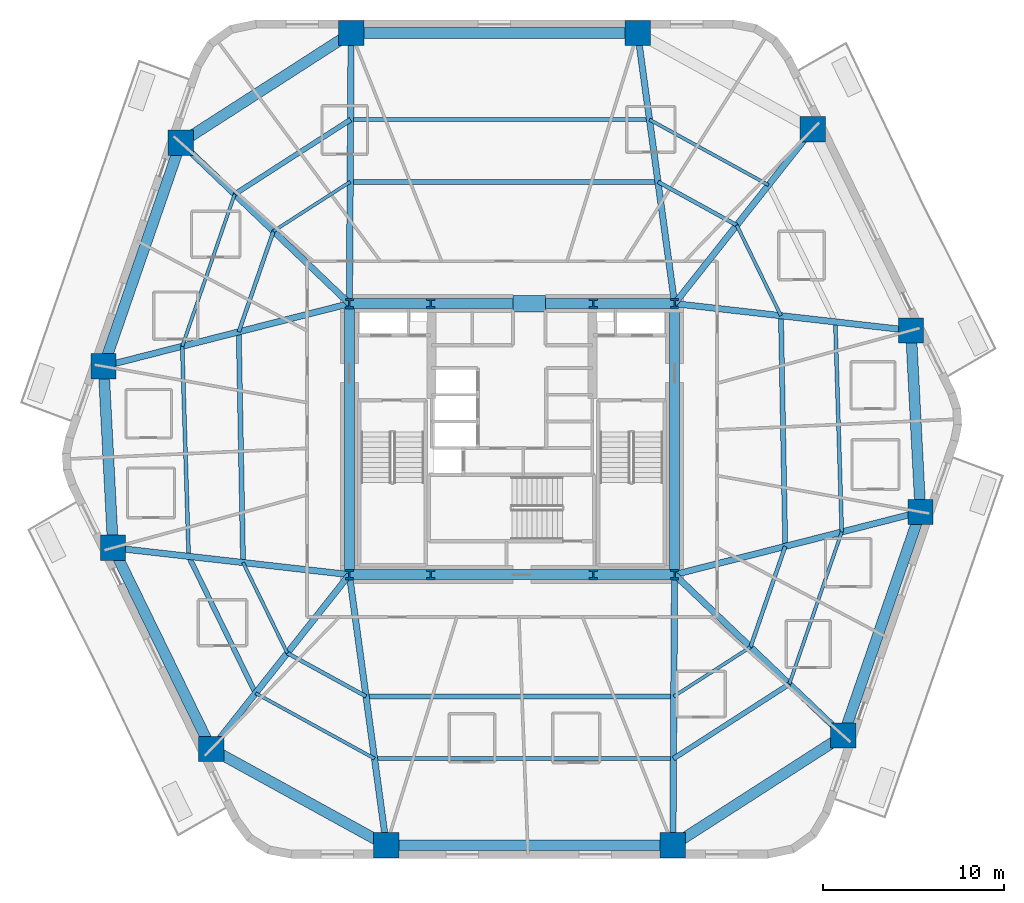
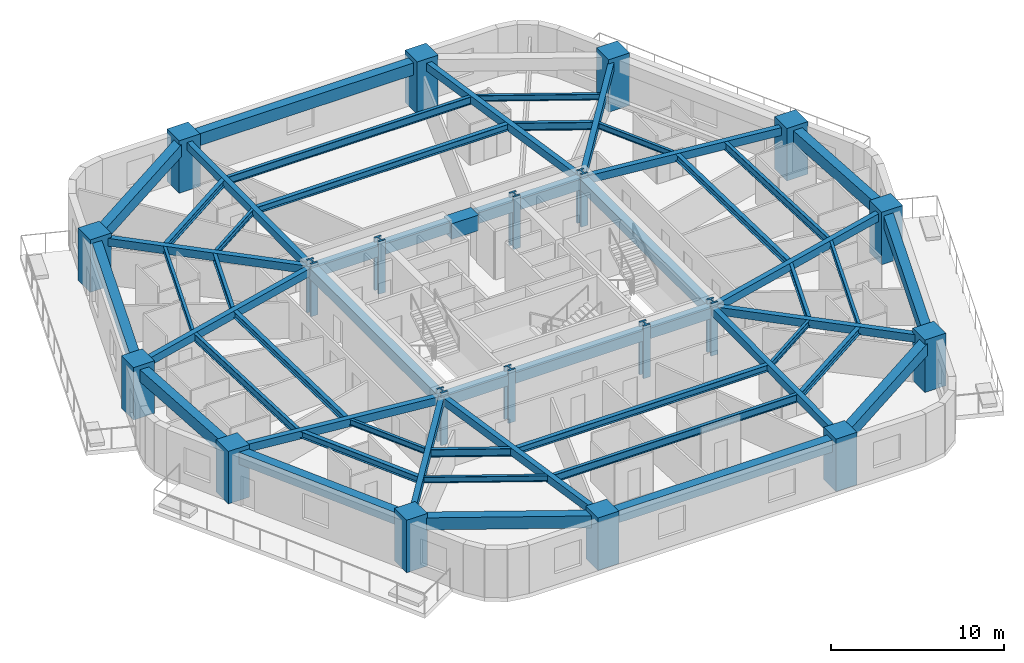
# One storey, part 1 of 10: 54 beams, 20 columns.
"""IFC4 building model written with IfcOpenShell, lengths in metres."""

from ifc_helpers import new_model, si_unit, direction, frame, origin, origin_2d, place, context, subcontext, project, spatial, rectangle, i_section, extrude, material, material_profile, profile_set, type_object, element, save


model = new_model("IFC4")

# Units and contexts
model_context = context("Model", 3, precision=1e-05, world=origin(), true_north=direction((0.0, 1.0)))
body_context = subcontext(model_context, "Body", "Model", "MODEL_VIEW")
ifc_project = project(units=[si_unit("LENGTHUNIT", "METRE"), si_unit("AREAUNIT", "SQUARE_METRE"), si_unit("VOLUMEUNIT", "CUBIC_METRE"), si_unit("PLANEANGLEUNIT", "RADIAN"), si_unit("MASSUNIT", "GRAM", prefix="KILO")], contexts=[model_context])

# Site, building, storey
site_placement = place(None, origin())
site = spatial("IfcSite", under=ifc_project, at=site_placement, CompositionType="ELEMENT")
building_placement = place(site_placement, origin())
building = spatial("IfcBuilding", under=site, at=building_placement, Name="Kilnhurst Terrace Hotel", CompositionType="ELEMENT")
storey_placement = place(building_placement, frame((0.0, 0.0, 45.300048828125)))
storey = spatial("IfcBuildingStorey", under=building, at=storey_placement, Name="L09", CompositionType="ELEMENT", Elevation=45.300048828125)

# Columns
ifc_material_1 = material(Name="Concrete C80/95", Category="concrete")
ifc_material_profile_1 = material_profile(ifc_material_1, rectangle(XDim=1.39990234375, YDim=1.39990234375, at=origin_2d()), Name="RC1400X1400")
ifc_profile_set_1 = profile_set([ifc_material_profile_1], Name="Concrete C80/95")
column_type_1 = type_object("IfcColumnType", Name="COL-RC-1400", PredefinedType="COLUMN", material=ifc_profile_set_1)
for number, where, z_axis, x_axis, name in (
    (1, (-6.955078125, -22.47998046875, 0.0), (0.0, 0.0, 1.0), (1.0, 0.0, 0.0), "L09 Structural Column PC-F11"),
    (2, (8.905029296875, -22.47998046875, 0.0), (0.0, 0.0, 1.0), (1.0, 0.0, 0.0), "L09 Structural Column PC-F12"),
    (3, (18.337890625, -16.410888671875, 0.0), (0.0, 0.0, 1.0), (1.0, 0.0, 0.0), "L09 Structural Column PC-F21"),
    (4, (22.60888671875, -4.029052734375, 0.0), (0.0, 0.0, 1.0), (1.0, 0.0, 0.0), "L09 Structural Column PC-F22"),
    (5, (22.083984375, 6.013916015625, 0.0), (0.0, 0.0, 1.0), (1.0, 0.0, 0.0), "L09 Structural Column PC-F31"),
    (6, (16.64306640625, 17.152099609375, 0.0), (0.0, 0.0, 1.0), (1.0, 0.0, 0.0), "L09 Structural Column PC-F32"),
    (7, (6.955078125, 22.47998046875, 0.0), (0.0, 0.0, 1.0), (1.0, 0.0, 0.0), "L09 Structural Column PC-F41"),
    (8, (-8.905029296875, 22.47998046875, 0.0), (0.0, 0.0, 1.0), (1.0, 0.0, 0.0), "L09 Structural Column PC-F42"),
    (9, (-18.337890625, 16.410888671875, 0.0), (0.0, 0.0, 1.0), (1.0, 0.0, 0.0), "L09 Structural Column PC-F51"),
    (10, (-22.60888671875, 4.029052734375, 0.0), (0.0, 0.0, 1.0), (1.0, 0.0, 0.0), "L09 Structural Column PC-F52"),
    (11, (-22.083984375, -6.013916015625, 0.0), (0.0, 0.0, 1.0), (1.0, 0.0, 0.0), "L09 Structural Column PC-F61"),
    (12, (-16.64306640625, -17.152099609375, 0.0), (0.0, 0.0, 1.0), (1.0, 0.0, 0.0), "L09 Structural Column PC-F62"),
):
    element("IfcColumn", number, at=place(storey_placement, frame(where, z_axis=z_axis, x_axis=x_axis)), inside=storey, type_object=column_type_1, Name=name, PredefinedType="COLUMN", context=body_context, shape_type="SweptSolid", body=[
        extrude(rectangle(XDim=1.39990234375, YDim=1.39990234375, at=origin_2d()), origin(), (0.0, 0.0, 1.0), 3.699951171875),
    ])
ifc_material_2 = material(Name="Steel ASTM A992 Grade 50", Category="steel")
ifc_material_profile_2 = material_profile(ifc_material_2, i_section(OverallWidth=0.454345703125, OverallDepth=0.569091796875, WebThickness=0.077880859375, FlangeThickness=0.124755859375, at=origin_2d()), Name="W14X730")
ifc_profile_set_2 = profile_set([ifc_material_profile_2], Name="Steel ASTM A992 Grade 50")
column_type_2 = type_object("IfcColumnType", Name="COL-STL-W14X730", PredefinedType="COLUMN", material=ifc_profile_set_2)
for number, where, z_axis, x_axis, name in (
    (13, (-9.0, -7.5, 0.0), (0.0, 0.0, 1.0), (1.0, 0.0, 0.0), "L09 Structural Column CC-SW"),
    (14, (-4.5, -7.5, 0.0), (0.0, 0.0, 1.0), (1.0, 0.0, 0.0), "L09 Structural Column CC-SC1"),
    (15, (4.5, -7.5, 0.0), (0.0, 0.0, 1.0), (1.0, 0.0, 0.0), "L09 Structural Column CC-SC2"),
    (16, (9.0, -7.5, 0.0), (0.0, 0.0, 1.0), (1.0, 0.0, 0.0), "L09 Structural Column CC-SE"),
    (17, (9.0, 7.5, 0.0), (0.0, 0.0, 1.0), (1.0, 0.0, 0.0), "L09 Structural Column CC-NE"),
    (18, (4.5, 7.5, 0.0), (0.0, 0.0, 1.0), (1.0, 0.0, 0.0), "L09 Structural Column CC-NC2"),
    (19, (-4.5, 7.5, 0.0), (0.0, 0.0, 1.0), (1.0, 0.0, 0.0), "L09 Structural Column CC-NC1"),
    (20, (-9.0, 7.5, 0.0), (0.0, 0.0, 1.0), (1.0, 0.0, 0.0), "L09 Structural Column CC-NW"),
):
    element("IfcColumn", number, at=place(storey_placement, frame(where, z_axis=z_axis, x_axis=x_axis)), inside=storey, type_object=column_type_2, Name=name, PredefinedType="COLUMN", context=body_context, shape_type="SweptSolid", body=[
        extrude(i_section(OverallWidth=0.454345703125, OverallDepth=0.569091796875, WebThickness=0.077880859375, FlangeThickness=0.124755859375, at=origin_2d()), origin(), (0.0, 0.0, 1.0), 3.699951171875),
    ])

# Beams
ifc_material_3 = material(Name="Concrete C50/60", Category="concrete")
ifc_material_profile_3 = material_profile(ifc_material_3, rectangle(XDim=0.35009765625, YDim=0.550048828125, at=origin_2d()), Name="RC350X550")
ifc_profile_set_3 = profile_set([ifc_material_profile_3], Name="Concrete C50/60")
beam_type_1 = type_object("IfcBeamType", Name="BM-RAD-350X550", PredefinedType="BEAM", material=ifc_profile_set_3)
beam_1_placement = place(storey_placement, frame((-9.0, -7.5, 3.125), z_axis=(0.13525588246, -0.990810701527, 0.0), x_axis=(0.990810701527, 0.13525588246, 0.0)))
element("IfcBeam", 21, at=beam_1_placement, inside=storey, type_object=beam_type_1, Name="L09 Radial Floor Beam 1", PredefinedType="BEAM", context=body_context, shape_type="SweptSolid", body=[
    extrude(rectangle(XDim=0.35009765625, YDim=0.550048828125, at=origin_2d()), origin(), (0.0, 0.0, 1.0), 15.118896484375),
])
beam_2_placement = place(storey_placement, frame((9.0, -7.5, 3.125), z_axis=(-0.006339714179, -0.99997990381, 0.0), x_axis=(0.99997990381, -0.006339714179, 0.0)))
element("IfcBeam", 22, at=beam_2_placement, inside=storey, type_object=beam_type_1, Name="L09 Radial Floor Beam 2", PredefinedType="BEAM", context=body_context, shape_type="SweptSolid", body=[
    extrude(rectangle(XDim=0.35009765625, YDim=0.550048828125, at=origin_2d()), origin(), (0.0, 0.0, 1.0), 14.980224609375),
])
beam_3_placement = place(storey_placement, frame((9.0, -7.5, 3.125), z_axis=(0.723454302813, -0.690372270403, 0.0), x_axis=(0.690372270403, 0.723454302813, 0.0)))
element("IfcBeam", 23, at=beam_3_placement, inside=storey, type_object=beam_type_1, Name="L09 Radial Floor Beam 3", PredefinedType="BEAM", context=body_context, shape_type="SweptSolid", body=[
    extrude(rectangle(XDim=0.35009765625, YDim=0.550048828125, at=origin_2d()), origin(), (0.0, 0.0, 1.0), 12.907470703125),
])
beam_4_placement = place(storey_placement, frame((9.0, -7.5, 3.125), z_axis=(0.968980179812, 0.247138445273, 0.0), x_axis=(-0.247138445273, 0.968980179812, 0.0)))
element("IfcBeam", 24, at=beam_4_placement, inside=storey, type_object=beam_type_1, Name="L09 Radial Floor Beam 4", PredefinedType="BEAM", context=body_context, shape_type="SweptSolid", body=[
    extrude(rectangle(XDim=0.35009765625, YDim=0.550048828125, at=origin_2d()), origin(), (0.0, 0.0, 1.0), 14.04443359375),
])
beam_5_placement = place(storey_placement, frame((9.0, 7.5, 3.125), z_axis=(0.993611493249, -0.112854776075, 0.0), x_axis=(0.112854776075, 0.993611493249, 0.0)))
element("IfcBeam", 25, at=beam_5_placement, inside=storey, type_object=beam_type_1, Name="L09 Radial Floor Beam 5", PredefinedType="BEAM", context=body_context, shape_type="SweptSolid", body=[
    extrude(rectangle(XDim=0.35009765625, YDim=0.550048828125, at=origin_2d()), origin(), (0.0, 0.0, 1.0), 13.168212890625),
])
beam_6_placement = place(storey_placement, frame((9.0, 7.5, 3.125), z_axis=(0.62079385707, 0.783973843329, 0.0), x_axis=(-0.783973843329, 0.62079385707, 0.0)))
element("IfcBeam", 26, at=beam_6_placement, inside=storey, type_object=beam_type_1, Name="L09 Radial Floor Beam 6", PredefinedType="BEAM", context=body_context, shape_type="SweptSolid", body=[
    extrude(rectangle(XDim=0.35009765625, YDim=0.550048828125, at=origin_2d()), origin(), (0.0, 0.0, 1.0), 12.311767578125),
])
beam_7_placement = place(storey_placement, frame((9.0, 7.5, 3.125), z_axis=(-0.13525588246, 0.990810701527, 0.0), x_axis=(-0.990810701527, -0.13525588246, 0.0)))
element("IfcBeam", 27, at=beam_7_placement, inside=storey, type_object=beam_type_1, Name="L09 Radial Floor Beam 7", PredefinedType="BEAM", context=body_context, shape_type="SweptSolid", body=[
    extrude(rectangle(XDim=0.35009765625, YDim=0.550048828125, at=origin_2d()), origin(), (0.0, 0.0, 1.0), 15.118896484375),
])
beam_8_placement = place(storey_placement, frame((-9.0, 7.5, 3.125), z_axis=(0.006339714179, 0.99997990381, 0.0), x_axis=(-0.99997990381, 0.006339714179, 0.0)))
element("IfcBeam", 28, at=beam_8_placement, inside=storey, type_object=beam_type_1, Name="L09 Radial Floor Beam 8", PredefinedType="BEAM", context=body_context, shape_type="SweptSolid", body=[
    extrude(rectangle(XDim=0.35009765625, YDim=0.550048828125, at=origin_2d()), origin(), (0.0, 0.0, 1.0), 14.980224609375),
])
beam_9_placement = place(storey_placement, frame((-9.0, 7.5, 3.125), z_axis=(-0.723454302813, 0.690372270403, 0.0), x_axis=(-0.690372270403, -0.723454302813, 0.0)))
element("IfcBeam", 29, at=beam_9_placement, inside=storey, type_object=beam_type_1, Name="L09 Radial Floor Beam 9", PredefinedType="BEAM", context=body_context, shape_type="SweptSolid", body=[
    extrude(rectangle(XDim=0.35009765625, YDim=0.550048828125, at=origin_2d()), origin(), (0.0, 0.0, 1.0), 12.907470703125),
])
beam_10_placement = place(storey_placement, frame((-9.0, 7.5, 3.125), z_axis=(-0.968980179812, -0.247138445273, 0.0), x_axis=(0.247138445273, -0.968980179812, 0.0)))
element("IfcBeam", 30, at=beam_10_placement, inside=storey, type_object=beam_type_1, Name="L09 Radial Floor Beam 10", PredefinedType="BEAM", context=body_context, shape_type="SweptSolid", body=[
    extrude(rectangle(XDim=0.35009765625, YDim=0.550048828125, at=origin_2d()), origin(), (0.0, 0.0, 1.0), 14.04443359375),
])
beam_11_placement = place(storey_placement, frame((-9.0, -7.5, 3.125), z_axis=(-0.993611493249, 0.112854776075, 0.0), x_axis=(-0.112854776075, -0.993611493249, 0.0)))
element("IfcBeam", 31, at=beam_11_placement, inside=storey, type_object=beam_type_1, Name="L09 Radial Floor Beam 11", PredefinedType="BEAM", context=body_context, shape_type="SweptSolid", body=[
    extrude(rectangle(XDim=0.35009765625, YDim=0.550048828125, at=origin_2d()), origin(), (0.0, 0.0, 1.0), 13.168212890625),
])
beam_12_placement = place(storey_placement, frame((-9.0, -7.5, 3.125), z_axis=(-0.62079385707, -0.783973843329, 0.0), x_axis=(0.783973843329, -0.62079385707, 0.0)))
element("IfcBeam", 32, at=beam_12_placement, inside=storey, type_object=beam_type_1, Name="L09 Radial Floor Beam 12", PredefinedType="BEAM", context=body_context, shape_type="SweptSolid", body=[
    extrude(rectangle(XDim=0.35009765625, YDim=0.550048828125, at=origin_2d()), origin(), (0.0, 0.0, 1.0), 12.311767578125),
])
ifc_material_profile_4 = material_profile(ifc_material_3, rectangle(XDim=0.550048828125, YDim=0.75, at=origin_2d()), Name="RC550X750")
ifc_profile_set_4 = profile_set([ifc_material_profile_4], Name="Concrete C50/60")
beam_type_2 = type_object("IfcBeamType", Name="BM-SPN-550X750", PredefinedType="SPANDREL", material=ifc_profile_set_4)
beam_13_placement = place(storey_placement, frame((-9.0, 7.5, 3.02490234375), z_axis=(1.0, 0.0, 0.0), x_axis=(0.0, 1.0, 0.0)))
element("IfcBeam", 33, at=beam_13_placement, inside=storey, type_object=beam_type_2, Name="L09 Core Tie Beam CC-NW to CC-NC1", PredefinedType="SPANDREL", context=body_context, shape_type="SweptSolid", body=[
    extrude(rectangle(XDim=0.550048828125, YDim=0.75, at=origin_2d()), origin(), (0.0, 0.0, 1.0), 4.5),
])
beam_14_placement = place(storey_placement, frame((-4.5, 7.5, 3.02490234375), z_axis=(1.0, 0.0, 0.0), x_axis=(0.0, 1.0, 0.0)))
element("IfcBeam", 34, at=beam_14_placement, inside=storey, type_object=beam_type_2, Name="L09 Core Tie Beam CC-NC1 to CC-NC2", PredefinedType="SPANDREL", context=body_context, shape_type="SweptSolid", body=[
    extrude(rectangle(XDim=0.550048828125, YDim=0.75, at=origin_2d()), origin(), (0.0, 0.0, 1.0), 9.0),
])
for number, where, z_axis, x_axis, name in (
    (35, (4.5, 7.5, 3.02490234375), (1.0, 0.0, 0.0), (0.0, 1.0, 0.0), "L09 Core Tie Beam CC-NC2 to CC-NE"),
    (36, (-9.0, -7.5, 3.02490234375), (1.0, 0.0, 0.0), (0.0, 1.0, 0.0), "L09 Core Tie Beam CC-SW to CC-SC1"),
):
    element("IfcBeam", number, at=place(storey_placement, frame(where, z_axis=z_axis, x_axis=x_axis)), inside=storey, type_object=beam_type_2, Name=name, PredefinedType="SPANDREL", context=body_context, shape_type="SweptSolid", body=[
        extrude(rectangle(XDim=0.550048828125, YDim=0.75, at=origin_2d()), origin(), (0.0, 0.0, 1.0), 4.5),
    ])
beam_15_placement = place(storey_placement, frame((-4.5, -7.5, 3.02490234375), z_axis=(1.0, 0.0, 0.0), x_axis=(0.0, 1.0, 0.0)))
element("IfcBeam", 37, at=beam_15_placement, inside=storey, type_object=beam_type_2, Name="L09 Core Tie Beam CC-SC1 to CC-SC2", PredefinedType="SPANDREL", context=body_context, shape_type="SweptSolid", body=[
    extrude(rectangle(XDim=0.550048828125, YDim=0.75, at=origin_2d()), origin(), (0.0, 0.0, 1.0), 9.0),
])
beam_16_placement = place(storey_placement, frame((4.5, -7.5, 3.02490234375), z_axis=(1.0, 0.0, 0.0), x_axis=(0.0, 1.0, 0.0)))
element("IfcBeam", 38, at=beam_16_placement, inside=storey, type_object=beam_type_2, Name="L09 Core Tie Beam CC-SC2 to CC-SE", PredefinedType="SPANDREL", context=body_context, shape_type="SweptSolid", body=[
    extrude(rectangle(XDim=0.550048828125, YDim=0.75, at=origin_2d()), origin(), (0.0, 0.0, 1.0), 4.5),
])
for number, where, z_axis, x_axis, name in (
    (39, (-9.0, -7.5, 3.02490234375), (0.0, 1.0, 0.0), (-1.0, 0.0, 0.0), "L09 Core Tie Beam CC-SW to CC-NW"),
    (40, (9.0, -7.5, 3.02490234375), (0.0, 1.0, 0.0), (-1.0, 0.0, 0.0), "L09 Core Tie Beam CC-SE to CC-NE"),
):
    element("IfcBeam", number, at=place(storey_placement, frame(where, z_axis=z_axis, x_axis=x_axis)), inside=storey, type_object=beam_type_2, Name=name, PredefinedType="SPANDREL", context=body_context, shape_type="SweptSolid", body=[
        extrude(rectangle(XDim=0.550048828125, YDim=0.75, at=origin_2d()), origin(), (0.0, 0.0, 1.0), 15.0),
    ])
ifc_material_profile_5 = material_profile(ifc_material_3, rectangle(XDim=0.60009765625, YDim=0.85009765625, at=origin_2d()), Name="RC600X850")
ifc_profile_set_5 = profile_set([ifc_material_profile_5], Name="Concrete C50/60")
beam_type_3 = type_object("IfcBeamType", Name="BM-SPN-600X850", PredefinedType="SPANDREL", material=ifc_profile_set_5)
beam_17_placement = place(storey_placement, frame((-6.955078125, -22.47998046875, 2.974853515625), z_axis=(1.0, 0.0, 0.0), x_axis=(0.0, 1.0, 0.0)))
element("IfcBeam", 41, at=beam_17_placement, inside=storey, type_object=beam_type_3, Name="L09 Perimeter Spandrel Beam 1", PredefinedType="SPANDREL", context=body_context, shape_type="SweptSolid", body=[
    extrude(rectangle(XDim=0.60009765625, YDim=0.85009765625, at=origin_2d()), origin(), (0.0, 0.0, 1.0), 15.860107421875),
])
beam_18_placement = place(storey_placement, frame((8.905029296875, -22.47998046875, 2.974853515625), z_axis=(0.840971204873, 0.541079876335, 0.0), x_axis=(-0.541079876335, 0.840971204873, 0.0)))
element("IfcBeam", 42, at=beam_18_placement, inside=storey, type_object=beam_type_3, Name="L09 Perimeter Spandrel Beam 2", PredefinedType="SPANDREL", context=body_context, shape_type="SweptSolid", body=[
    extrude(rectangle(XDim=0.60009765625, YDim=0.85009765625, at=origin_2d()), origin(), (0.0, 0.0, 1.0), 11.216552734375),
])
beam_19_placement = place(storey_placement, frame((18.337890625, -16.410888671875, 2.974853515625), z_axis=(0.326086040191, 0.945340094565, 0.0), x_axis=(-0.945340094565, 0.326086040191, 0.0)))
element("IfcBeam", 43, at=beam_19_placement, inside=storey, type_object=beam_type_3, Name="L09 Perimeter Spandrel Beam 3", PredefinedType="SPANDREL", context=body_context, shape_type="SweptSolid", body=[
    extrude(rectangle(XDim=0.60009765625, YDim=0.85009765625, at=origin_2d()), origin(), (0.0, 0.0, 1.0), 13.09765625),
])
beam_20_placement = place(storey_placement, frame((22.60888671875, -4.029052734375, 2.974853515625), z_axis=(-0.052194414298, 0.998636942595, 0.0), x_axis=(-0.998636942595, -0.052194414298, 0.0)))
element("IfcBeam", 44, at=beam_20_placement, inside=storey, type_object=beam_type_3, Name="L09 Perimeter Spandrel Beam 4", PredefinedType="SPANDREL", context=body_context, shape_type="SweptSolid", body=[
    extrude(rectangle(XDim=0.60009765625, YDim=0.85009765625, at=origin_2d()), origin(), (0.0, 0.0, 1.0), 10.056640625),
])
beam_21_placement = place(storey_placement, frame((6.955078125, 22.47998046875, 2.974853515625), z_axis=(-1.0, 0.0, 0.0), x_axis=(0.0, -1.0, 0.0)))
element("IfcBeam", 45, at=beam_21_placement, inside=storey, type_object=beam_type_3, Name="L09 Perimeter Spandrel Beam 7", PredefinedType="SPANDREL", context=body_context, shape_type="SweptSolid", body=[
    extrude(rectangle(XDim=0.60009765625, YDim=0.85009765625, at=origin_2d()), origin(), (0.0, 0.0, 1.0), 15.860107421875),
])
beam_22_placement = place(storey_placement, frame((-8.905029296875, 22.47998046875, 2.974853515625), z_axis=(-0.840971204873, -0.541079876335, 0.0), x_axis=(0.541079876335, -0.840971204873, 0.0)))
element("IfcBeam", 46, at=beam_22_placement, inside=storey, type_object=beam_type_3, Name="L09 Perimeter Spandrel Beam 8", PredefinedType="SPANDREL", context=body_context, shape_type="SweptSolid", body=[
    extrude(rectangle(XDim=0.60009765625, YDim=0.85009765625, at=origin_2d()), origin(), (0.0, 0.0, 1.0), 11.216552734375),
])
beam_23_placement = place(storey_placement, frame((-18.337890625, 16.410888671875, 2.974853515625), z_axis=(-0.326086040191, -0.945340094565, 0.0), x_axis=(0.945340094565, -0.326086040191, 0.0)))
element("IfcBeam", 47, at=beam_23_placement, inside=storey, type_object=beam_type_3, Name="L09 Perimeter Spandrel Beam 9", PredefinedType="SPANDREL", context=body_context, shape_type="SweptSolid", body=[
    extrude(rectangle(XDim=0.60009765625, YDim=0.85009765625, at=origin_2d()), origin(), (0.0, 0.0, 1.0), 13.09765625),
])
beam_24_placement = place(storey_placement, frame((-22.60888671875, 4.029052734375, 2.974853515625), z_axis=(0.052194414298, -0.998636942595, 0.0), x_axis=(0.998636942595, 0.052194414298, 0.0)))
element("IfcBeam", 48, at=beam_24_placement, inside=storey, type_object=beam_type_3, Name="L09 Perimeter Spandrel Beam 10", PredefinedType="SPANDREL", context=body_context, shape_type="SweptSolid", body=[
    extrude(rectangle(XDim=0.60009765625, YDim=0.85009765625, at=origin_2d()), origin(), (0.0, 0.0, 1.0), 10.056640625),
])
beam_25_placement = place(storey_placement, frame((-22.083984375, -6.013916015625, 2.974853515625), z_axis=(0.438922573627, -0.898524888003, 0.0), x_axis=(0.898524888003, 0.438922573627, 0.0)))
element("IfcBeam", 49, at=beam_25_placement, inside=storey, type_object=beam_type_3, Name="L09 Perimeter Spandrel Beam 11", PredefinedType="SPANDREL", context=body_context, shape_type="SweptSolid", body=[
    extrude(rectangle(XDim=0.60009765625, YDim=0.85009765625, at=origin_2d()), origin(), (0.0, 0.0, 1.0), 12.39599609375),
])
beam_26_placement = place(storey_placement, frame((-16.64306640625, -17.152099609375, 2.974853515625), z_axis=(0.876235488803, -0.481883147829, 0.0), x_axis=(0.481883147829, 0.876235488803, 0.0)))
element("IfcBeam", 50, at=beam_26_placement, inside=storey, type_object=beam_type_3, Name="L09 Perimeter Spandrel Beam 12", PredefinedType="SPANDREL", context=body_context, shape_type="SweptSolid", body=[
    extrude(rectangle(XDim=0.60009765625, YDim=0.85009765625, at=origin_2d()), origin(), (0.0, 0.0, 1.0), 11.056396484375),
])
ifc_material_profile_6 = material_profile(ifc_material_2, i_section(OverallWidth=0.180908203125, OverallDepth=0.417236328125, WebThickness=0.010986328125, FlangeThickness=0.018310546875, at=origin_2d()), Name="W16X57")
ifc_profile_set_6 = profile_set([ifc_material_profile_6], Name="Steel ASTM A992 Grade 50")
beam_type_4 = type_object("IfcBeamType", Name="JST-STL-W16X57", PredefinedType="JOIST", material=ifc_profile_set_6)
beam_27_placement = place(storey_placement, frame((15.349853515625, -13.5595703125, 3.19091796875), z_axis=(0.326078536201, 0.945342682961, 0.0), x_axis=(-0.945342682961, 0.326078536201, 0.0)))
element("IfcBeam", 51, at=beam_27_placement, inside=storey, type_object=beam_type_4, Name="L09 Secondary Floor Steel Joist OUT.3", PredefinedType="JOIST", context=body_context, shape_type="SweptSolid", body=[
    extrude(i_section(OverallWidth=0.180908203125, OverallDepth=0.417236328125, WebThickness=0.010986328125, FlangeThickness=0.018310546875, at=origin_2d()), origin(), (0.0, 0.0, 1.0), 8.90673828125),
])
beam_28_placement = place(storey_placement, frame((14.197265625, 14.0634765625, 3.19091796875), z_axis=(-0.876246073632, 0.481863900334, 0.0), x_axis=(-0.481863900334, -0.876246073632, 0.0)))
element("IfcBeam", 52, at=beam_28_placement, inside=storey, type_object=beam_type_4, Name="L09 Secondary Floor Steel Joist OUT.6", PredefinedType="JOIST", context=body_context, shape_type="SweptSolid", body=[
    extrude(i_section(OverallWidth=0.180908203125, OverallDepth=0.417236328125, WebThickness=0.010986328125, FlangeThickness=0.018310546875, at=origin_2d()), origin(), (0.0, 0.0, 1.0), 7.518310546875),
])
beam_29_placement = place(storey_placement, frame((-15.349853515625, 13.5595703125, 3.19091796875), z_axis=(-0.326078536201, -0.945342682961, 0.0), x_axis=(0.945342682961, -0.326078536201, 0.0)))
element("IfcBeam", 53, at=beam_29_placement, inside=storey, type_object=beam_type_4, Name="L09 Secondary Floor Steel Joist OUT.9", PredefinedType="JOIST", context=body_context, shape_type="SweptSolid", body=[
    extrude(i_section(OverallWidth=0.180908203125, OverallDepth=0.417236328125, WebThickness=0.010986328125, FlangeThickness=0.018310546875, at=origin_2d()), origin(), (0.0, 0.0, 1.0), 8.90673828125),
])
beam_30_placement = place(storey_placement, frame((-14.197265625, -14.0634765625, 3.19091796875), z_axis=(0.876246073632, -0.481863900334, 0.0), x_axis=(0.481863900334, 0.876246073632, 0.0)))
element("IfcBeam", 54, at=beam_30_placement, inside=storey, type_object=beam_type_4, Name="L09 Secondary Floor Steel Joist OUT.12", PredefinedType="JOIST", context=body_context, shape_type="SweptSolid", body=[
    extrude(i_section(OverallWidth=0.180908203125, OverallDepth=0.417236328125, WebThickness=0.010986328125, FlangeThickness=0.018310546875, at=origin_2d()), origin(), (0.0, 0.0, 1.0), 7.518310546875),
])
beam_31_placement = place(storey_placement, frame((8.957275390625, -14.240966796875, 3.19091796875), z_axis=(0.840988265896, 0.541053358389, 0.0), x_axis=(-0.541053358389, 0.840988265896, 0.0)))
element("IfcBeam", 55, at=beam_31_placement, inside=storey, type_object=beam_type_4, Name="L09 Secondary Floor Steel Joist IN.2", PredefinedType="JOIST", context=body_context, shape_type="SweptSolid", body=[
    extrude(i_section(OverallWidth=0.180908203125, OverallDepth=0.417236328125, WebThickness=0.010986328125, FlangeThickness=0.018310546875, at=origin_2d()), origin(), (0.0, 0.0, 1.0), 5.04736328125),
])
beam_32_placement = place(storey_placement, frame((14.8876953125, 6.831298828125, 3.19091796875), z_axis=(-0.438896112695, 0.898537813484, 0.0), x_axis=(-0.898537813484, -0.438896112695, 0.0)))
element("IfcBeam", 56, at=beam_32_placement, inside=storey, type_object=beam_type_4, Name="L09 Secondary Floor Steel Joist IN.5", PredefinedType="JOIST", context=body_context, shape_type="SweptSolid", body=[
    extrude(i_section(OverallWidth=0.180908203125, OverallDepth=0.417236328125, WebThickness=0.010986328125, FlangeThickness=0.018310546875, at=origin_2d()), origin(), (0.0, 0.0, 1.0), 5.578125),
])
beam_33_placement = place(storey_placement, frame((-8.957275390625, 14.240966796875, 3.19091796875), z_axis=(-0.840988265896, -0.541053358389, 0.0), x_axis=(0.541053358389, -0.840988265896, 0.0)))
element("IfcBeam", 57, at=beam_33_placement, inside=storey, type_object=beam_type_4, Name="L09 Secondary Floor Steel Joist IN.8", PredefinedType="JOIST", context=body_context, shape_type="SweptSolid", body=[
    extrude(i_section(OverallWidth=0.180908203125, OverallDepth=0.417236328125, WebThickness=0.010986328125, FlangeThickness=0.018310546875, at=origin_2d()), origin(), (0.0, 0.0, 1.0), 5.04736328125),
])
beam_34_placement = place(storey_placement, frame((-14.8876953125, -6.831298828125, 3.19091796875), z_axis=(0.438896112695, -0.898537813484, 0.0), x_axis=(0.898537813484, 0.438896112695, 0.0)))
element("IfcBeam", 58, at=beam_34_placement, inside=storey, type_object=beam_type_4, Name="L09 Secondary Floor Steel Joist IN.11", PredefinedType="JOIST", context=body_context, shape_type="SweptSolid", body=[
    extrude(i_section(OverallWidth=0.180908203125, OverallDepth=0.417236328125, WebThickness=0.010986328125, FlangeThickness=0.018310546875, at=origin_2d()), origin(), (0.0, 0.0, 1.0), 5.578125),
])
ifc_material_profile_7 = material_profile(ifc_material_2, i_section(OverallWidth=0.279296875, OverallDepth=0.462890625, WebThickness=0.0107421875, FlangeThickness=0.017333984375, at=origin_2d()), Name="W18X76")
ifc_profile_set_7 = profile_set([ifc_material_profile_7], Name="Steel ASTM A992 Grade 50")
beam_type_5 = type_object("IfcBeamType", Name="JST-STL-W18X76", PredefinedType="JOIST", material=ifc_profile_set_7)
for number, where, z_axis, x_axis, name in (
    (59, (8.935302734375, -17.686279296875, 3.16796875), (0.840995388529, 0.54104228714, 0.0), (-0.54104228714, 0.840995388529, 0.0), "L09 Secondary Floor Steel Joist OUT.2"),
    (60, (-8.935302734375, 17.686279296875, 3.16796875), (-0.840995388529, -0.54104228714, 0.0), (0.54104228714, -0.840995388529, 0.0), "L09 Secondary Floor Steel Joist OUT.8"),
):
    element("IfcBeam", number, at=place(storey_placement, frame(where, z_axis=z_axis, x_axis=x_axis)), inside=storey, type_object=beam_type_5, Name=name, PredefinedType="JOIST", context=body_context, shape_type="SweptSolid", body=[
        extrude(i_section(OverallWidth=0.279296875, OverallDepth=0.462890625, WebThickness=0.0107421875, FlangeThickness=0.017333984375, at=origin_2d()), origin(), (0.0, 0.0, 1.0), 7.62744140625),
    ])
beam_35_placement = place(storey_placement, frame((-17.897216796875, -6.489501953125, 3.16796875), z_axis=(0.438934275949, -0.898519171413, 0.0), x_axis=(0.898519171413, 0.438934275949, 0.0)))
element("IfcBeam", 61, at=beam_35_placement, inside=storey, type_object=beam_type_5, Name="L09 Secondary Floor Steel Joist OUT.11", PredefinedType="JOIST", context=body_context, shape_type="SweptSolid", body=[
    extrude(i_section(OverallWidth=0.279296875, OverallDepth=0.462890625, WebThickness=0.0107421875, FlangeThickness=0.017333984375, at=origin_2d()), origin(), (0.0, 0.0, 1.0), 8.429443359375),
])
beam_36_placement = place(storey_placement, frame((-8.079833984375, -14.240966796875, 3.16796875), z_axis=(1.0, 0.0, 0.0), x_axis=(0.0, 1.0, 0.0)))
element("IfcBeam", 62, at=beam_36_placement, inside=storey, type_object=beam_type_5, Name="L09 Secondary Floor Steel Joist IN.1", PredefinedType="JOIST", context=body_context, shape_type="SweptSolid", body=[
    extrude(i_section(OverallWidth=0.279296875, OverallDepth=0.462890625, WebThickness=0.0107421875, FlangeThickness=0.017333984375, at=origin_2d()), origin(), (0.0, 0.0, 1.0), 17.037109375),
])
beam_37_placement = place(storey_placement, frame((15.1240234375, -5.93798828125, 3.16796875), z_axis=(-0.018504373716, 0.999828779418, 0.0), x_axis=(-0.999828779418, -0.018504373716, 0.0)))
element("IfcBeam", 63, at=beam_37_placement, inside=storey, type_object=beam_type_5, Name="L09 Secondary Floor Steel Joist IN.4", PredefinedType="JOIST", context=body_context, shape_type="SweptSolid", body=[
    extrude(i_section(OverallWidth=0.279296875, OverallDepth=0.462890625, WebThickness=0.0107421875, FlangeThickness=0.017333984375, at=origin_2d()), origin(), (0.0, 0.0, 1.0), 12.771484375),
])
beam_38_placement = place(storey_placement, frame((8.079833984375, 14.240966796875, 3.16796875), z_axis=(-1.0, 0.0, 0.0), x_axis=(0.0, -1.0, 0.0)))
element("IfcBeam", 64, at=beam_38_placement, inside=storey, type_object=beam_type_5, Name="L09 Secondary Floor Steel Joist IN.7", PredefinedType="JOIST", context=body_context, shape_type="SweptSolid", body=[
    extrude(i_section(OverallWidth=0.279296875, OverallDepth=0.462890625, WebThickness=0.0107421875, FlangeThickness=0.017333984375, at=origin_2d()), origin(), (0.0, 0.0, 1.0), 17.037109375),
])
beam_39_placement = place(storey_placement, frame((-15.1240234375, 5.93798828125, 3.16796875), z_axis=(0.018504373716, -0.999828779418, 0.0), x_axis=(0.999828779418, 0.018504373716, 0.0)))
element("IfcBeam", 65, at=beam_39_placement, inside=storey, type_object=beam_type_5, Name="L09 Secondary Floor Steel Joist IN.10", PredefinedType="JOIST", context=body_context, shape_type="SweptSolid", body=[
    extrude(i_section(OverallWidth=0.279296875, OverallDepth=0.462890625, WebThickness=0.0107421875, FlangeThickness=0.017333984375, at=origin_2d()), origin(), (0.0, 0.0, 1.0), 12.771484375),
])
ifc_material_profile_8 = material_profile(ifc_material_2, i_section(OverallWidth=0.2138671875, OverallDepth=0.549072265625, WebThickness=0.0146484375, FlangeThickness=0.023681640625, at=origin_2d()), Name="W21X93")
ifc_profile_set_8 = profile_set([ifc_material_profile_8], Name="Steel ASTM A992 Grade 50")
beam_type_6 = type_object("IfcBeamType", Name="JST-STL-W21X93", PredefinedType="JOIST", material=ifc_profile_set_8)
beam_40_placement = place(storey_placement, frame((-7.609375, -17.686279296875, 3.125), z_axis=(1.0, 0.0, 0.0), x_axis=(0.0, 1.0, 0.0)))
element("IfcBeam", 66, at=beam_40_placement, inside=storey, type_object=beam_type_6, Name="L09 Secondary Floor Steel Joist OUT.1", PredefinedType="JOIST", context=body_context, shape_type="SweptSolid", body=[
    extrude(i_section(OverallWidth=0.2138671875, OverallDepth=0.549072265625, WebThickness=0.0146484375, FlangeThickness=0.023681640625, at=origin_2d()), origin(), (0.0, 0.0, 1.0), 16.544677734375),
])
beam_41_placement = place(storey_placement, frame((18.254150390625, -5.1396484375, 3.125), z_axis=(-0.030678559818, 0.999529302206, 0.0), x_axis=(-0.999529302206, -0.030678559818, 0.0)))
element("IfcBeam", 67, at=beam_41_placement, inside=storey, type_object=beam_type_6, Name="L09 Secondary Floor Steel Joist OUT.4", PredefinedType="JOIST", context=body_context, shape_type="SweptSolid", body=[
    extrude(i_section(OverallWidth=0.2138671875, OverallDepth=0.549072265625, WebThickness=0.0146484375, FlangeThickness=0.023681640625, at=origin_2d()), origin(), (0.0, 0.0, 1.0), 11.634521484375),
])
beam_42_placement = place(storey_placement, frame((7.609375, 17.686279296875, 3.125), z_axis=(-1.0, 0.0, 0.0), x_axis=(0.0, -1.0, 0.0)))
element("IfcBeam", 68, at=beam_42_placement, inside=storey, type_object=beam_type_6, Name="L09 Secondary Floor Steel Joist OUT.7", PredefinedType="JOIST", context=body_context, shape_type="SweptSolid", body=[
    extrude(i_section(OverallWidth=0.2138671875, OverallDepth=0.549072265625, WebThickness=0.0146484375, FlangeThickness=0.023681640625, at=origin_2d()), origin(), (0.0, 0.0, 1.0), 16.544677734375),
])
beam_43_placement = place(storey_placement, frame((-18.254150390625, 5.1396484375, 3.125), z_axis=(0.030678559818, -0.999529302206, 0.0), x_axis=(0.999529302206, 0.030678559818, 0.0)))
element("IfcBeam", 69, at=beam_43_placement, inside=storey, type_object=beam_type_6, Name="L09 Secondary Floor Steel Joist OUT.10", PredefinedType="JOIST", context=body_context, shape_type="SweptSolid", body=[
    extrude(i_section(OverallWidth=0.2138671875, OverallDepth=0.549072265625, WebThickness=0.0146484375, FlangeThickness=0.023681640625, at=origin_2d()), origin(), (0.0, 0.0, 1.0), 11.634521484375),
])
beam_44_placement = place(storey_placement, frame((13.2021484375, -11.510009765625, 3.125), z_axis=(0.326064720391, 0.945347448358, 0.0), x_axis=(-0.945347448358, 0.326064720391, 0.0)))
element("IfcBeam", 70, at=beam_44_placement, inside=storey, type_object=beam_type_6, Name="L09 Secondary Floor Steel Joist IN.3", PredefinedType="JOIST", context=body_context, shape_type="SweptSolid", body=[
    extrude(i_section(OverallWidth=0.2138671875, OverallDepth=0.549072265625, WebThickness=0.0146484375, FlangeThickness=0.023681640625, at=origin_2d()), origin(), (0.0, 0.0, 1.0), 5.89404296875),
])
beam_45_placement = place(storey_placement, frame((12.439453125, 11.843505859375, 3.125), z_axis=(-0.876243879955, 0.481867889408, 0.0), x_axis=(-0.481867889408, -0.876243879955, 0.0)))
element("IfcBeam", 71, at=beam_45_placement, inside=storey, type_object=beam_type_6, Name="L09 Secondary Floor Steel Joist IN.6", PredefinedType="JOIST", context=body_context, shape_type="SweptSolid", body=[
    extrude(i_section(OverallWidth=0.2138671875, OverallDepth=0.549072265625, WebThickness=0.0146484375, FlangeThickness=0.023681640625, at=origin_2d()), origin(), (0.0, 0.0, 1.0), 4.975341796875),
])
beam_46_placement = place(storey_placement, frame((-13.2021484375, 11.510009765625, 3.125), z_axis=(-0.326064720391, -0.945347448358, 0.0), x_axis=(0.945347448358, -0.326064720391, 0.0)))
element("IfcBeam", 72, at=beam_46_placement, inside=storey, type_object=beam_type_6, Name="L09 Secondary Floor Steel Joist IN.9", PredefinedType="JOIST", context=body_context, shape_type="SweptSolid", body=[
    extrude(i_section(OverallWidth=0.2138671875, OverallDepth=0.549072265625, WebThickness=0.0146484375, FlangeThickness=0.023681640625, at=origin_2d()), origin(), (0.0, 0.0, 1.0), 5.89404296875),
])
beam_47_placement = place(storey_placement, frame((-12.439453125, -11.843505859375, 3.125), z_axis=(0.876243879955, -0.481867889408, 0.0), x_axis=(0.481867889408, 0.876243879955, 0.0)))
element("IfcBeam", 73, at=beam_47_placement, inside=storey, type_object=beam_type_6, Name="L09 Secondary Floor Steel Joist IN.12", PredefinedType="JOIST", context=body_context, shape_type="SweptSolid", body=[
    extrude(i_section(OverallWidth=0.2138671875, OverallDepth=0.549072265625, WebThickness=0.0146484375, FlangeThickness=0.023681640625, at=origin_2d()), origin(), (0.0, 0.0, 1.0), 4.975341796875),
])
ifc_material_profile_9 = material_profile(ifc_material_1, rectangle(XDim=0.89990234375, YDim=1.10009765625, at=origin_2d()), Name="RC900X1100")
ifc_profile_set_9 = profile_set([ifc_material_profile_9], Name="Concrete C80/95")
beam_type_7 = type_object("IfcBeamType", Name="LNT-CB-900X1100", PredefinedType="LINTEL", material=ifc_profile_set_9)
beam_48_placement = place(storey_placement, frame((0.050048828125, 7.5, 2.849853515625), z_axis=(1.0, 0.0, 0.0), x_axis=(0.0, 1.0, 0.0)))
element("IfcBeam", 74, at=beam_48_placement, inside=storey, type_object=beam_type_7, Name="L09 North Core Coupling Link Beam", PredefinedType="LINTEL", context=body_context, shape_type="SweptSolid", body=[
    extrude(rectangle(XDim=0.89990234375, YDim=1.10009765625, at=origin_2d()), origin(), (0.0, 0.0, 1.0), 1.800048828125),
])

save(model, "model.ifc")
